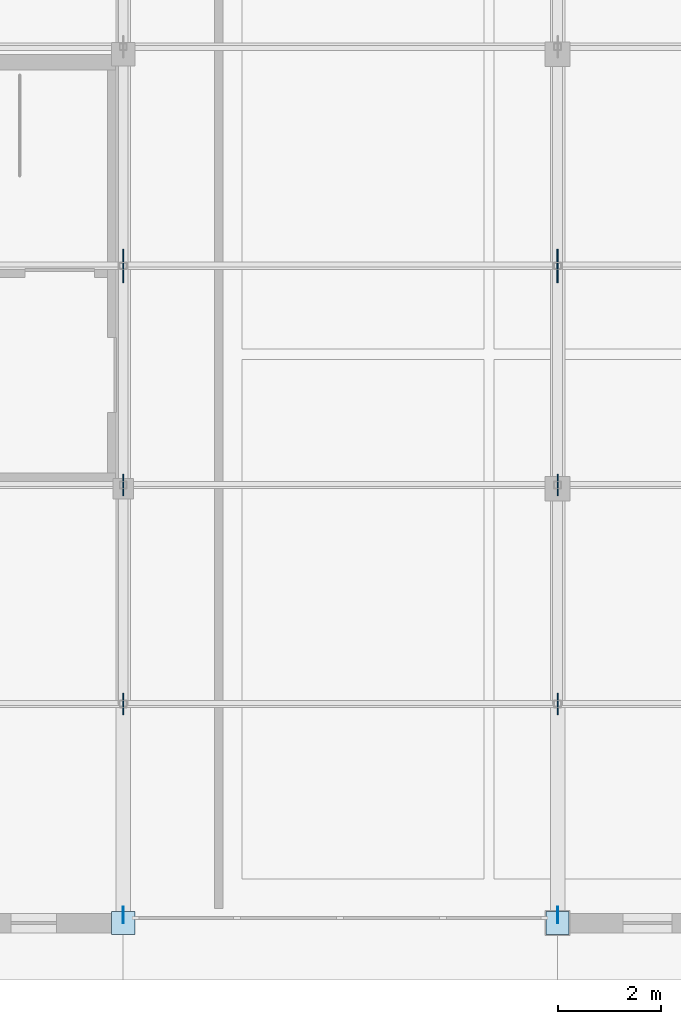
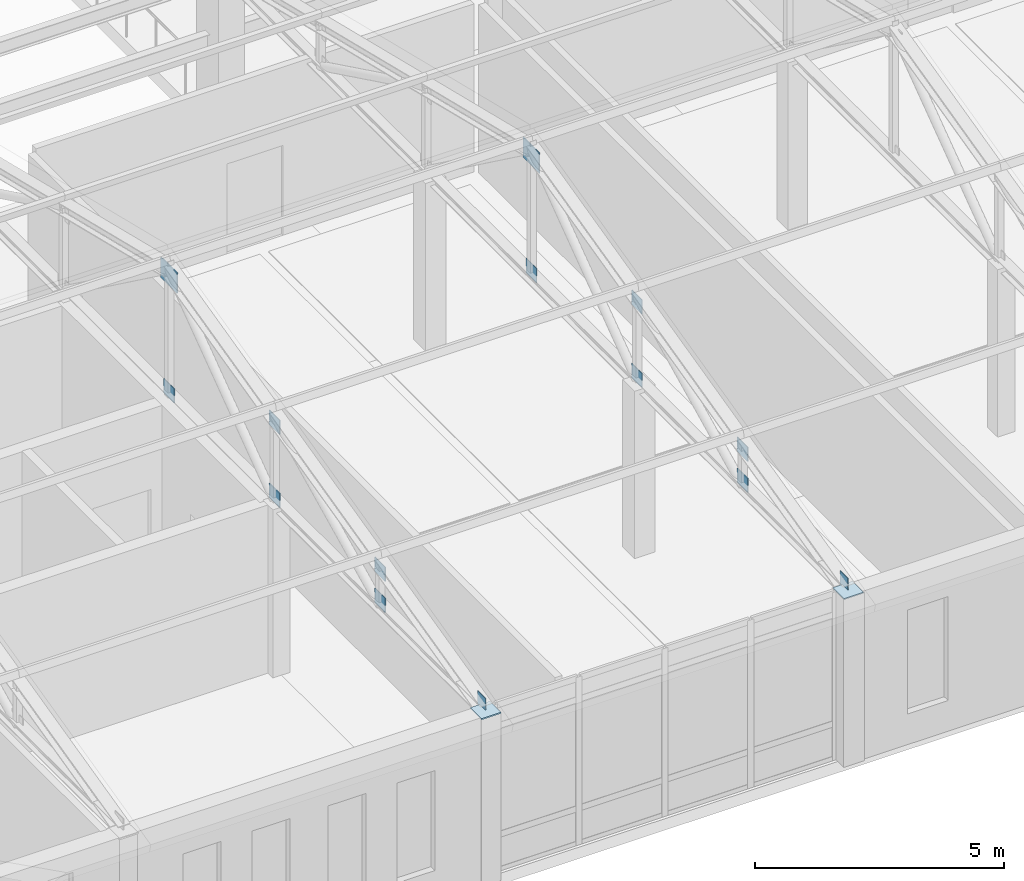
# One storey, part 131 of 192: 16 plates.
"""IFC4 building model written with IfcOpenShell, lengths in metres."""

from ifc_helpers import new_model, si_unit, direction, frame, origin, origin_2d, place, context, subcontext, project, spatial, rectangle, extrude, material, layer, layer_set, type_object, element, save


model = new_model("IFC4")

# Units and contexts
model_context = context("Model", 3, precision=1e-05, world=origin(), true_north=direction((0.0, 1.0)))
body_context = subcontext(model_context, "Body", "Model", "MODEL_VIEW")
ifc_project = project(units=[si_unit("LENGTHUNIT", "METRE"), si_unit("AREAUNIT", "SQUARE_METRE"), si_unit("VOLUMEUNIT", "CUBIC_METRE"), si_unit("PLANEANGLEUNIT", "RADIAN"), si_unit("MASSUNIT", "GRAM", prefix="KILO")], contexts=[model_context])

# Site, building, storey
site_placement = place(None, origin())
site = spatial("IfcSite", under=ifc_project, at=site_placement, CompositionType="ELEMENT")
building_placement = place(site_placement, origin())
building = spatial("IfcBuilding", under=site, at=building_placement, Name="Kveldsbrygga Polytechnic", CompositionType="ELEMENT")
storey_placement = place(building_placement, frame((0.0, 0.0, 5.43994140625)))
storey = spatial("IfcBuildingStorey", under=building, at=storey_placement, Name="L01", CompositionType="ELEMENT", Elevation=5.43994140625)

# Plates
ifc_material = material(Name="Steel S355", Category="steel")
ifc_layer_1 = layer(ifc_material, 0.030029296875)
ifc_layer_set_1 = layer_set([ifc_layer_1], Name="Steel S355")
plate_type_1 = type_object("IfcPlateType", Name="CAP-BEAR-450", PredefinedType="SHEET", material=ifc_layer_set_1)
for number, where, z_axis, x_axis, name in (
    (1, (16.800048828125, 0.0, 4.08984375), (0.0, 0.0, 1.0), (1.0, 0.0, 0.0), "Truss Bearing Plate V5S-T03-A"),
    (2, (25.199951171875, 0.0, 4.08984375), (0.0, 0.0, 1.0), (1.0, 0.0, 0.0), "Truss Bearing Plate V5S-T04-A"),
):
    element("IfcPlate", number, at=place(storey_placement, frame(where, z_axis=z_axis, x_axis=x_axis)), inside=storey, type_object=plate_type_1, Name=name, PredefinedType="SHEET", context=body_context, shape_type="SweptSolid", body=[
        extrude(rectangle(XDim=0.449951171875, YDim=0.449951171875, at=origin_2d()), origin(), (0.0, 0.0, 1.0), 0.030029296875),
    ])
ifc_layer_2 = layer(ifc_material, 0.02490234375)
ifc_layer_set_2 = layer_set([ifc_layer_2], Name="Steel S355")
plate_type_2 = type_object("IfcPlateType", Name="GUS-APEX-650", PredefinedType="SHEET", material=ifc_layer_set_2)
for number, where, z_axis, x_axis, name in (
    (3, (16.800048828125, 12.7099609375, 6.820068359375), (0.0, 0.0, 1.0), (1.0, 0.0, 0.0), "Truss Gusset Plate V5S-T03-GP-3"),
    (4, (25.199951171875, 12.7099609375, 6.820068359375), (0.0, 0.0, 1.0), (1.0, 0.0, 0.0), "Truss Gusset Plate V5S-T04-GP-3"),
):
    element("IfcPlate", number, at=place(storey_placement, frame(where, z_axis=z_axis, x_axis=x_axis)), inside=storey, type_object=plate_type_2, Name=name, PredefinedType="SHEET", context=body_context, shape_type="SweptSolid", body=[
        extrude(rectangle(XDim=0.02490234375, YDim=0.64990234375, at=origin_2d()), origin(), (0.0, 0.0, 1.0), 0.5),
    ])
ifc_layer_3 = layer(ifc_material, 0.01806640625)
ifc_layer_set_3 = layer_set([ifc_layer_3], Name="Steel S355")
plate_type_3 = type_object("IfcPlateType", Name="GUS-BRACE-320", PredefinedType="SHEET", material=ifc_layer_set_3)
for number, where, z_axis, x_axis, name in (
    (5, (16.800048828125, 0.159912109375, 4.080078125), (0.0, 0.0, 1.0), (1.0, 0.0, 0.0), "Truss Eaves Node Gusset V5S-T03-EGP-A"),
    (6, (25.199951171875, 0.159912109375, 4.080078125), (0.0, 0.0, 1.0), (1.0, 0.0, 0.0), "Truss Eaves Node Gusset V5S-T04-EGP-A"),
):
    element("IfcPlate", number, at=place(storey_placement, frame(where, z_axis=z_axis, x_axis=x_axis)), inside=storey, type_object=plate_type_3, Name=name, PredefinedType="SHEET", context=body_context, shape_type="SweptSolid", body=[
        extrude(rectangle(XDim=0.01806640625, YDim=0.320068359375, at=origin_2d()), origin(), (0.0, 0.0, 1.0), 0.320068359375),
    ])
ifc_layer_4 = layer(ifc_material, 0.02001953125)
ifc_layer_set_4 = layer_set([ifc_layer_4], Name="Steel S355")
plate_type_4 = type_object("IfcPlateType", Name="GUS-LECT-420", PredefinedType="SHEET", material=ifc_layer_set_4)
for number, where, z_axis, x_axis, name in (
    (7, (16.800048828125, 4.236572265625, 4.828369140625), (0.0, 0.0, 1.0), (1.0, 0.0, 0.0), "Truss Gusset Plate V5S-T03-GP-1"),
    (8, (16.800048828125, 4.236572265625, 4.06494140625), (0.0, 0.0, 1.0), (1.0, 0.0, 0.0), "Truss Bottom-Chord Node Gusset V5S-T03-BGP-1"),
    (9, (16.800048828125, 8.473388671875, 5.861572265625), (0.0, 0.0, 1.0), (1.0, 0.0, 0.0), "Truss Gusset Plate V5S-T03-GP-2"),
    (10, (16.800048828125, 8.473388671875, 4.06494140625), (0.0, 0.0, 1.0), (1.0, 0.0, 0.0), "Truss Bottom-Chord Node Gusset V5S-T03-BGP-2"),
    (11, (16.800048828125, 12.7099609375, 4.06494140625), (0.0, 0.0, 1.0), (1.0, 0.0, 0.0), "Truss Bottom-Chord Node Gusset V5S-T03-BGP-3"),
    (12, (25.199951171875, 4.236572265625, 4.828369140625), (0.0, 0.0, 1.0), (1.0, 0.0, 0.0), "Truss Gusset Plate V5S-T04-GP-1"),
    (13, (25.199951171875, 4.236572265625, 4.06494140625), (0.0, 0.0, 1.0), (1.0, 0.0, 0.0), "Truss Bottom-Chord Node Gusset V5S-T04-BGP-1"),
    (14, (25.199951171875, 8.473388671875, 5.861572265625), (0.0, 0.0, 1.0), (1.0, 0.0, 0.0), "Truss Gusset Plate V5S-T04-GP-2"),
    (15, (25.199951171875, 8.473388671875, 4.06494140625), (0.0, 0.0, 1.0), (1.0, 0.0, 0.0), "Truss Bottom-Chord Node Gusset V5S-T04-BGP-2"),
    (16, (25.199951171875, 12.7099609375, 4.06494140625), (0.0, 0.0, 1.0), (1.0, 0.0, 0.0), "Truss Bottom-Chord Node Gusset V5S-T04-BGP-3"),
):
    element("IfcPlate", number, at=place(storey_placement, frame(where, z_axis=z_axis, x_axis=x_axis)), inside=storey, type_object=plate_type_4, Name=name, PredefinedType="SHEET", context=body_context, shape_type="SweptSolid", body=[
        extrude(rectangle(XDim=0.02001953125, YDim=0.419921875, at=origin_2d()), origin(), (0.0, 0.0, 1.0), 0.35009765625),
    ])

save(model, "model.ifc")
